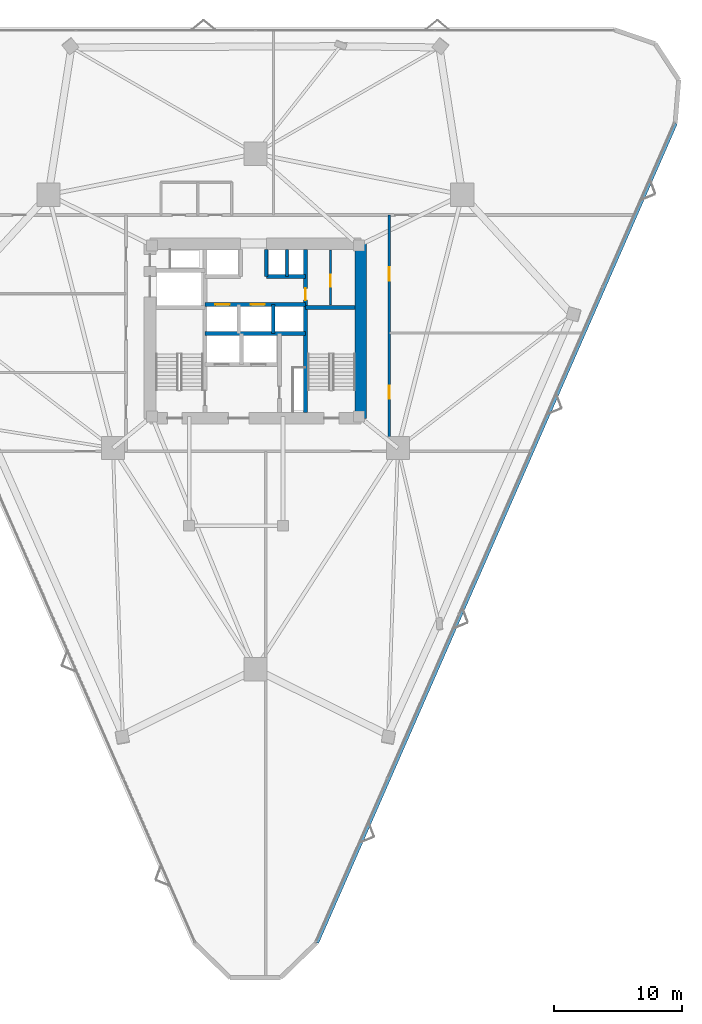
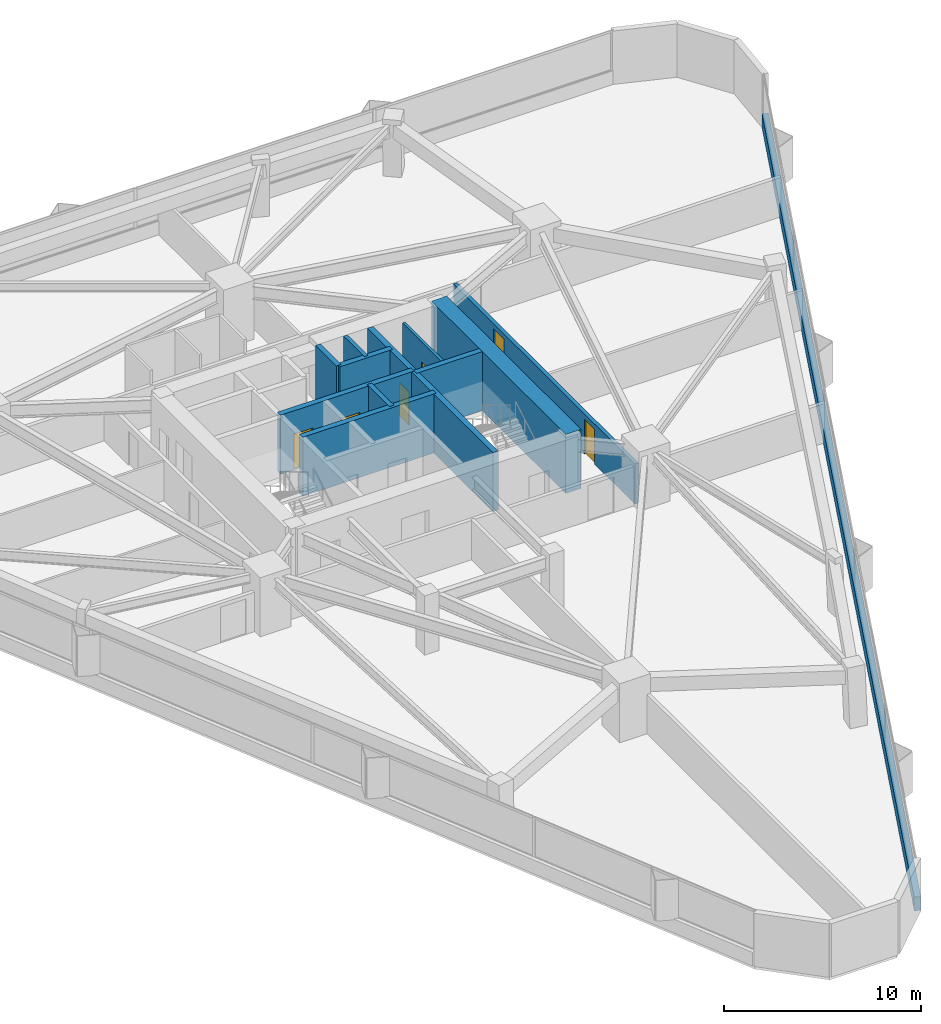
# One storey, part 18 of 20: 12 walls, 6 doors, 6 openings.
"""IFC4 building model written with IfcOpenShell, lengths in metres."""

import ifcopenshell
import ifcopenshell.guid

model = None  # the IFC model being written
_history = None  # IfcOwnerHistory: only IFC2X3 demands one
_inside = {}  # id of a spatial element -> (the spatial element, [elements in it])
_under = {}  # id of a project, library or spatial element -> (it, [spatial elements below it])
_declared = {}  # id of a project -> (the project, [libraries it declares])
_typed = {}  # id of a type object -> (the type object, [elements of that type])
_made_of = {}  # id of a material, layer set ... -> (it, [elements and type objects made of it])


def new_model(schema):
    """Start an empty IFC model of exactly this schema.

    Asked for "IFC4X3", IfcOpenShell would pick the latest addendum, in which some entities
    have other attributes; the version numbers below select the first issue.
    IFC2X3 requires an IfcOwnerHistory on every rooted entity: one is made here for all.
    """
    global model, _history
    if schema == "IFC4X3":
        model = ifcopenshell.file(schema_version=(4, 3, 0, 0))
    else:
        model = ifcopenshell.file(schema=schema)
    _inside.clear()
    _under.clear()
    _declared.clear()
    _typed.clear()
    _made_of.clear()
    _history = None
    if model.schema == "IFC2X3":
        org = make("IfcOrganization", Name="unknown")
        user = make(
            "IfcPersonAndOrganization",
            ThePerson=make("IfcPerson", FamilyName="unknown"),
            TheOrganization=org,
        )
        app = make(
            "IfcApplication",
            ApplicationDeveloper=org,
            Version="unknown",
            ApplicationFullName="unknown",
            ApplicationIdentifier="unknown",
        )
        _history = make(
            "IfcOwnerHistory",
            OwningUser=user,
            OwningApplication=app,
            ChangeAction="ADDED",
            CreationDate=0,
        )
    return model


def make(cls, **values):
    """One entity of the class cls with the attributes given. An attribute that is None is left unset."""
    return model.create_entity(
        cls, **{name: value for name, value in values.items() if value is not None}
    )


def rooted(cls, **values):
    """An entity with a GlobalId (a new one), such as an element, a storey or a relation."""
    return make(cls, GlobalId=ifcopenshell.guid.new(), OwnerHistory=_history, **values)


def si_unit(unit_type, name, prefix=None):
    """IfcSIUnit, for example si_unit("LENGTHUNIT", "METRE", prefix="MILLI")."""
    return make("IfcSIUnit", UnitType=unit_type, Prefix=prefix, Name=name)


def assignment(units):
    """IfcUnitAssignment: the units of a project."""
    return None if units is None else make("IfcUnitAssignment", Units=units)


def point(xyz):
    """IfcCartesianPoint."""
    return None if xyz is None else make("IfcCartesianPoint", Coordinates=xyz)


def direction(xyz):
    """IfcDirection."""
    return None if xyz is None else make("IfcDirection", DirectionRatios=xyz)


def frame(location, z_axis=None, x_axis=None):
    """IfcAxis2Placement3D, a coordinate frame: its origin and axes. An axis left out is left unset."""
    return make(
        "IfcAxis2Placement3D",
        Location=point(location),
        Axis=direction(z_axis),
        RefDirection=direction(x_axis),
    )


def frame_2d(location, x_axis=None):
    """IfcAxis2Placement2D, a coordinate frame in the plane: its origin and x axis."""
    return make(
        "IfcAxis2Placement2D", Location=point(location), RefDirection=direction(x_axis)
    )


def origin():
    """The frame at (0, 0, 0) with its axes left unset."""
    return frame((0.0, 0.0, 0.0))


def place(relative_to, where):
    """IfcLocalPlacement: puts the frame where relative to a parent placement (None: the world)."""
    return make(
        "IfcLocalPlacement", PlacementRelTo=relative_to, RelativePlacement=where
    )


def context(
    kind, dimensions, precision=None, world=None, true_north=None, identifier=None
):
    """IfcGeometricRepresentationContext, for example the 3D "Model" context."""
    return make(
        "IfcGeometricRepresentationContext",
        ContextIdentifier=identifier,
        ContextType=kind,
        CoordinateSpaceDimension=dimensions,
        Precision=precision,
        WorldCoordinateSystem=world,
        TrueNorth=true_north,
    )


def subcontext(parent, identifier, kind, view, scale=None):
    """IfcGeometricRepresentationSubContext, for example "Body" below "Model"."""
    return make(
        "IfcGeometricRepresentationSubContext",
        ContextIdentifier=identifier,
        ContextType=kind,
        ParentContext=parent,
        TargetScale=scale,
        TargetView=view,
    )


def project(units=None, contexts=None):
    """IfcProject with its units and contexts."""
    return rooted(
        "IfcProject",
        Name="project",
        RepresentationContexts=contexts,
        UnitsInContext=assignment(units),
    )


def spatial(cls, under=None, at=None, **own):
    """A site, building, storey or space (cls), placed at a placement, below another one or the project."""
    s = rooted(cls, ObjectPlacement=at, **own)
    if under is not None:
        _under.setdefault(under.id(), (under, []))[1].append(s)
    return s


def profile(cls, at=None, kind="AREA", **sizes):
    """A parametric profile (cls). Its sizes go by their IFC names, for example OverallWidth=200.0."""
    return make(cls, ProfileType=kind, Position=at, **sizes)


def rectangle(**sizes):
    """IfcRectangleProfileDef."""
    return profile("IfcRectangleProfileDef", **sizes)


def extrude(swept, where, along, depth):
    """IfcExtrudedAreaSolid: the profile swept, set in the frame where, extruded along a direction by depth."""
    return make(
        "IfcExtrudedAreaSolid",
        SweptArea=swept,
        Position=where,
        ExtrudedDirection=direction(along),
        Depth=depth,
    )


def shape(context_of_items, identifier, shape_type, items):
    """IfcShapeRepresentation: the items that make up one representation, for example the "Body"."""
    return make(
        "IfcShapeRepresentation",
        ContextOfItems=context_of_items,
        RepresentationIdentifier=identifier,
        RepresentationType=shape_type,
        Items=items,
    )


def material(Name=None, Category=None):
    """IfcMaterial."""
    return make("IfcMaterial", Name=Name, Category=Category)


def layer(
    of_material, thickness, ventilated=None, Name=None, Category=None, Priority=None
):
    """IfcMaterialLayer: one layer of a wall or slab, of a material (None: an air gap)."""
    return make(
        "IfcMaterialLayer",
        Material=of_material,
        LayerThickness=thickness,
        IsVentilated=ventilated,
        Name=Name,
        Category=Category,
        Priority=Priority,
    )


def layer_set(layers, Name=None):
    """IfcMaterialLayerSet."""
    return make("IfcMaterialLayerSet", MaterialLayers=layers, LayerSetName=Name)


def made_of(thing, what):
    """Note that an element or type object is made of a material, layer set ...; save() writes the relation."""
    if what is not None:
        _made_of.setdefault(what.id(), (what, []))[1].append(thing)
    return thing


def type_object(cls, material=None, **own):
    """A type object (cls), such as IfcWallType, which elements share."""
    return made_of(rooted(cls, **own), material)


def element(
    cls,
    number,
    at=None,
    inside=None,
    cuts=None,
    type_object=None,
    material=None,
    context=None,
    identifier="Body",
    shape_type=None,
    held_by="IfcProductDefinitionShape",
    body=None,
    shapes=None,
    **own,
):
    """One element of the class cls, such as IfcWall. Its Tag is "e" and its number.

    at: its placement. inside: the storey or other place that contains it. cuts: it is an
    opening in that element (IfcRelVoidsElement). A single representation is given by context,
    identifier, shape_type and body (its items); several are given by shapes. held_by: the class
    of the entity that holds the representations. save() writes the other relations.
    """
    e = rooted(cls, Tag="e%d" % number, ObjectPlacement=at, **own)
    if body is not None:
        shapes = [shape(context, identifier, shape_type, body)]
    if shapes is not None:
        e.Representation = make(held_by, Representations=shapes)
    if inside is not None:
        _inside.setdefault(inside.id(), (inside, []))[1].append(e)
    if cuts is not None:
        rooted(
            "IfcRelVoidsElement", RelatingBuildingElement=cuts, RelatedOpeningElement=e
        )
    if type_object is not None:
        _typed.setdefault(type_object.id(), (type_object, []))[1].append(e)
    return made_of(e, material)


def fill(opening, filler):
    """IfcRelFillsElement: the door or window that sits in an opening."""
    return rooted(
        "IfcRelFillsElement",
        RelatingOpeningElement=opening,
        RelatedBuildingElement=filler,
    )


def aggregate(whole, parts):
    """IfcRelAggregates: a whole, such as a stair, and the parts it consists of."""
    return rooted("IfcRelAggregates", RelatingObject=whole, RelatedObjects=parts)


def save(model, path):
    """Write the relations noted so far, then the file.

    IfcRelAggregates (storeys below a building ...), IfcRelContainedInSpatialStructure (elements
    in a storey), IfcRelDefinesByType, IfcRelAssociatesMaterial and IfcRelDeclares: one each for
    every whole, place, type object, material and project.
    """
    for whole, parts in _under.values():
        aggregate(whole, parts)
    for where, things in _inside.values():
        rooted(
            "IfcRelContainedInSpatialStructure",
            RelatedElements=things,
            RelatingStructure=where,
        )
    for kind, things in _typed.values():
        rooted("IfcRelDefinesByType", RelatedObjects=things, RelatingType=kind)
    for what, things in _made_of.values():
        rooted("IfcRelAssociatesMaterial", RelatedObjects=things, RelatingMaterial=what)
    for by, libraries in _declared.values():
        rooted("IfcRelDeclares", RelatingContext=by, RelatedDefinitions=libraries)
    model.write(path)


model = new_model("IFC4")

# Units and contexts
model_context = context("Model", 3, precision=1e-05, world=origin(), true_north=direction((0.0, 1.0)))
body_context = subcontext(model_context, "Body", "Model", "MODEL_VIEW")
ifc_project = project(units=[si_unit("LENGTHUNIT", "METRE"), si_unit("AREAUNIT", "SQUARE_METRE"), si_unit("VOLUMEUNIT", "CUBIC_METRE"), si_unit("PLANEANGLEUNIT", "RADIAN"), si_unit("MASSUNIT", "GRAM", prefix="KILO")], contexts=[model_context])

# Site, building, storey
site_placement = place(None, origin())
site = spatial("IfcSite", under=ifc_project, at=site_placement, CompositionType="ELEMENT")
building_placement = place(site_placement, origin())
building = spatial("IfcBuilding", under=site, at=building_placement, Name="Talyreon Biosciences Tower", CompositionType="ELEMENT")
storey_placement = place(building_placement, frame((0.0, 0.0, 62.949951171875)))
storey = spatial("IfcBuildingStorey", under=building, at=storey_placement, Name="L16", CompositionType="ELEMENT", Elevation=62.949951171875)

# Walls
ifc_material_1 = material(Name="Concrete C50/60", Category="concrete")
ifc_layer_1 = layer(ifc_material_1, 0.219970703125)
ifc_layer_set_1 = layer_set([ifc_layer_1], Name="Concrete C50/60")
wall_type_1 = type_object("IfcWallType", Name="CoreShearWall_220", PredefinedType="SHEAR", material=ifc_layer_set_1)
wall_1_placement = place(storey_placement, frame((68.4599609375, 72.25, 0.0), z_axis=(0.0, 0.0, 1.0), x_axis=(0.0, 1.0, 0.0)))
element("IfcWall", 1, at=wall_1_placement, inside=storey, type_object=wall_type_1, Name="L16 Core Shaft Wall SWPHD", PredefinedType="SHEAR", context=body_context, shape_type="SweptSolid", body=[
    extrude(rectangle(XDim=2.10009765625, YDim=0.219970703125, at=frame_2d((1.050048828125, 0.0))), origin(), (0.0, 0.0, 1.0), 3.650146484375),
])
ifc_layer_2 = layer(ifc_material_1, 0.280029296875)
ifc_layer_set_2 = layer_set([ifc_layer_2], Name="Concrete C50/60")
wall_type_2 = type_object("IfcWallType", Name="CoreShearWall_280", PredefinedType="SHEAR", material=ifc_layer_set_2)
wall_2_placement = place(storey_placement, frame((66.85009765625, 72.25, 0.0), z_axis=(0.0, 0.0, 1.0), x_axis=(0.0, 1.0, 0.0)))
element("IfcWall", 2, at=wall_2_placement, inside=storey, type_object=wall_type_2, Name="L16 Core Shaft Wall SWTHE", PredefinedType="SHEAR", context=body_context, shape_type="SweptSolid", body=[
    extrude(rectangle(XDim=2.10009765625, YDim=0.280029296875, at=frame_2d((1.050048828125, 0.0))), origin(), (0.0, 0.0, 1.0), 3.650146484375),
])
wall_3_placement = place(storey_placement, frame((67.3798828125, 67.800048828125, 0.0), z_axis=(0.0, 0.0, 1.0), x_axis=(0.0, 1.0, 0.0)))
element("IfcWall", 3, at=wall_3_placement, inside=storey, type_object=wall_type_2, Name="L16 Core Shaft Wall SWPMD", PredefinedType="SHEAR", context=body_context, shape_type="SweptSolid", body=[
    extrude(rectangle(XDim=2.25, YDim=0.280029296875, at=frame_2d((1.125, 0.0))), origin(), (0.0, 0.0, 1.0), 3.650146484375),
])

# Wall, opening, door
ifc_layer_3 = layer(ifc_material_1, 0.320068359375)
ifc_layer_set_3 = layer_set([ifc_layer_3], Name="Concrete C50/60")
wall_type_3 = type_object("IfcWallType", Name="CoreShearWall_320", PredefinedType="SHEAR", material=ifc_layer_set_3)
wall_4_placement = place(storey_placement, frame((69.909912109375, 61.64990234375, 0.0), z_axis=(0.0, 0.0, 1.0), x_axis=(0.0, 1.0, 0.0)))
wall_4 = element("IfcWall", 4, at=wall_4_placement, inside=storey, type_object=wall_type_3, Name="L16 Core Shaft Wall SW2W", PredefinedType="SHEAR", context=body_context, shape_type="SweptSolid", body=[
    extrude(rectangle(XDim=12.7001953125, YDim=0.320068359375, at=frame_2d((6.35009765625, 0.0))), origin(), (0.0, 0.0, 1.0), 3.650146484375),
])
opening_1_placement = place(wall_4_placement, frame((8.75, 0.0, 0.0)))
opening_1 = element("IfcOpeningElement", 5, at=opening_1_placement, cuts=wall_4, Name="Opening DR-L16-CSRV", PredefinedType="OPENING", context=body_context, shape_type="SweptSolid", body=[
    extrude(rectangle(XDim=0.919921875, YDim=2.050048828125, at=frame_2d((0.4599609375, 1.02490234375))), frame((0.0, 0.169921875, 0.0), z_axis=(0.0, -1.0, 0.0), x_axis=(1.0, 0.0, 0.0)), (0.0, 0.0, 1.0), 0.340087890625),
])
ifc_material_2 = material(Name="Painted steel fire-rated riser door", Category="steel")
door_type_1 = type_object("IfcDoorType", Name="RiserPlantAccessDoor_920x2050", OperationType="NOTDEFINED", PredefinedType="DOOR", material=ifc_material_2)
door_1_placement = place(opening_1_placement, origin())
door_1 = element("IfcDoor", 6, at=door_1_placement, inside=storey, type_object=door_type_1, Name="L16 Core Door DR-L16-CSRV", OperationType="SINGLE_SWING_RIGHT", OverallHeight=2.050048828125, OverallWidth=0.919921875, PredefinedType="DOOR", context=body_context, shape_type="SweptSolid", body=[
    extrude(rectangle(XDim=0.919921875, YDim=2.050048828125, at=frame_2d((0.4599609375, 1.02490234375))), frame((0.0, 0.02490234375, 0.0), z_axis=(0.0, -1.0, 0.0), x_axis=(1.0, 0.0, 0.0)), (0.0, 0.0, 1.0), 0.050048828125),
])
fill(opening_1, door_1)

# Walls
wall_5_placement = place(storey_placement, frame((69.909912109375, 69.81005859375, 0.0), z_axis=(0.0, 0.0, 1.0), x_axis=(1.0, 0.0, 0.0)))
element("IfcWall", 7, at=wall_5_placement, inside=storey, type_object=wall_type_3, Name="L16 Core Shaft Wall SW2N", PredefinedType="SHEAR", context=body_context, shape_type="SweptSolid", body=[
    extrude(rectangle(XDim=3.840087890625, YDim=0.320068359375, at=frame_2d((1.919921875, 0.0))), origin(), (0.0, 0.0, 1.0), 3.650146484375),
])
wall_6_placement = place(storey_placement, frame((62.090087890625, 67.800048828125, 0.0), z_axis=(0.0, 0.0, 1.0), x_axis=(1.0, 0.0, 0.0)))
element("IfcWall", 8, at=wall_6_placement, inside=storey, type_object=wall_type_3, Name="L16 Core Shaft Wall SWSHM", PredefinedType="SHEAR", context=body_context, shape_type="SweptSolid", body=[
    extrude(rectangle(XDim=7.81982421875, YDim=0.320068359375, at=frame_2d((3.909912109375, 0.0))), origin(), (0.0, 0.0, 1.0), 3.650146484375),
])

# Wall, openings, doors
wall_7_placement = place(storey_placement, frame((62.090087890625, 70.050048828125, 0.0), z_axis=(0.0, 0.0, 1.0), x_axis=(1.0, 0.0, 0.0)))
wall_7 = element("IfcWall", 9, at=wall_7_placement, inside=storey, type_object=wall_type_3, Name="L16 Core Shaft Wall SWSPN", PredefinedType="SHEAR", context=body_context, shape_type="SweptSolid", body=[
    extrude(rectangle(XDim=7.81982421875, YDim=0.320068359375, at=frame_2d((3.909912109375, 0.0))), origin(), (0.0, 0.0, 1.0), 3.650146484375),
])
opening_2_placement = place(wall_7_placement, frame((0.800048828125, 0.0, 0.0)))
opening_2 = element("IfcOpeningElement", 10, at=opening_2_placement, cuts=wall_7, Name="Opening LD-L16-PL1", PredefinedType="OPENING", context=body_context, shape_type="SweptSolid", body=[
    extrude(rectangle(XDim=1.10009765625, YDim=2.199951171875, at=frame_2d((0.550048828125, 1.10009765625))), frame((0.0, 0.169921875, 0.0), z_axis=(0.0, -1.0, 0.0), x_axis=(1.0, 0.0, 0.0)), (0.0, 0.0, 1.0), 0.340087890625),
])
opening_3_placement = place(wall_7_placement, frame((3.550048828125, 0.0, 0.0)))
opening_3 = element("IfcOpeningElement", 11, at=opening_3_placement, cuts=wall_7, Name="Opening LD-L16-PL2", PredefinedType="OPENING", context=body_context, shape_type="SweptSolid", body=[
    extrude(rectangle(XDim=1.10009765625, YDim=2.199951171875, at=frame_2d((0.550048828125, 1.10009765625))), frame((0.0, 0.169921875, 0.0), z_axis=(0.0, -1.0, 0.0), x_axis=(1.0, 0.0, 0.0)), (0.0, 0.0, 1.0), 0.340087890625),
])
ifc_material_3 = material(Name="Brushed stainless-steel lift landing door", Category="steel")
door_type_2 = type_object("IfcDoorType", Name="LiftSlidingLandingDoor_1100x2200", OperationType="SLIDING_TO_LEFT", PredefinedType="DOOR", material=ifc_material_3)
door_2_placement = place(opening_2_placement, origin())
door_2 = element("IfcDoor", 12, at=door_2_placement, inside=storey, type_object=door_type_2, Name="L16 Core Door LD-L16-PL1", OperationType="SLIDING_TO_LEFT", OverallHeight=2.199951171875, OverallWidth=1.10009765625, PredefinedType="DOOR", context=body_context, shape_type="SweptSolid", body=[
    extrude(rectangle(XDim=1.10009765625, YDim=2.199951171875, at=frame_2d((0.550048828125, 1.10009765625))), frame((0.0, 0.02490234375, 0.0), z_axis=(0.0, -1.0, 0.0), x_axis=(1.0, 0.0, 0.0)), (0.0, 0.0, 1.0), 0.050048828125),
])
fill(opening_2, door_2)
door_3_placement = place(opening_3_placement, origin())
door_3 = element("IfcDoor", 13, at=door_3_placement, inside=storey, type_object=door_type_2, Name="L16 Core Door LD-L16-PL2", OperationType="SLIDING_TO_LEFT", OverallHeight=2.199951171875, OverallWidth=1.10009765625, PredefinedType="DOOR", context=body_context, shape_type="SweptSolid", body=[
    extrude(rectangle(XDim=1.10009765625, YDim=2.199951171875, at=frame_2d((0.550048828125, 1.10009765625))), frame((0.0, 0.02490234375, 0.0), z_axis=(0.0, -1.0, 0.0), x_axis=(1.0, 0.0, 0.0)), (0.0, 0.0, 1.0), 0.050048828125),
])
fill(opening_3, door_3)

# Walls
wall_8_placement = place(storey_placement, frame((66.85009765625, 72.25, 0.0), z_axis=(0.0, 0.0, 1.0), x_axis=(1.0, 0.0, 0.0)))
element("IfcWall", 14, at=wall_8_placement, inside=storey, type_object=wall_type_3, Name="L16 Core Shaft Wall SWNPE", PredefinedType="SHEAR", context=body_context, shape_type="SweptSolid", body=[
    extrude(rectangle(XDim=3.059814453125, YDim=0.320068359375, at=frame_2d((1.52978515625, 0.0))), origin(), (0.0, 0.0, 1.0), 3.650146484375),
])
ifc_material_4 = material(Name="Concrete C60/75", Category="concrete")
ifc_layer_4 = layer(ifc_material_4, 0.89990234375)
ifc_layer_set_4 = layer_set([ifc_layer_4], Name="Concrete C60/75")
wall_type_4 = type_object("IfcWallType", Name="CoreShearWall_900", PredefinedType="SHEAR", material=ifc_layer_set_4)
wall_9_placement = place(storey_placement, frame((74.199951171875, 61.199951171875, 0.0), z_axis=(0.0, 0.0, 1.0), x_axis=(0.0, 1.0, 0.0)))
element("IfcWall", 15, at=wall_9_placement, inside=storey, type_object=wall_type_4, Name="L16 Core Shear Wall E", PredefinedType="SHEAR", context=body_context, shape_type="SweptSolid", body=[
    extrude(rectangle(XDim=13.60009765625, YDim=0.89990234375, at=frame_2d((6.800048828125, 0.0))), origin(), (0.0, 0.0, 1.0), 3.650146484375),
])

# Wall, openings, doors
ifc_material_5 = material(Name="Gypsum fireboard acoustic stud", Category="gypsum")
ifc_layer_5 = layer(ifc_material_5, 0.219970703125)
ifc_layer_set_5 = layer_set([ifc_layer_5], Name="Gypsum fireboard acoustic stud")
wall_type_5 = type_object("IfcWallType", Name="CorridorRatedPartition_220", PredefinedType="PARTITIONING", material=ifc_layer_set_5)
wall_10_placement = place(storey_placement, frame((76.419921875, 58.6298828125, 0.0), z_axis=(0.0, 0.0, 1.0), x_axis=(0.0, 1.0, 0.0)))
wall_10 = element("IfcWall", 16, at=wall_10_placement, inside=storey, type_object=wall_type_5, Name="L16 Interior Wall IW-L16-COR-E", PredefinedType="PARTITIONING", context=body_context, shape_type="SweptSolid", body=[
    extrude(rectangle(XDim=18.39013671875, YDim=0.219970703125, at=frame_2d((9.195068359375, 0.0))), origin(), (0.0, 0.0, 1.0), 2.47998046875),
])
opening_4_placement = place(wall_10_placement, frame((4.072998046875, 0.0, 0.0)))
opening_4 = element("IfcOpeningElement", 17, at=opening_4_placement, cuts=wall_10, Name="Opening DR-L16-E1A", PredefinedType="OPENING", context=body_context, shape_type="SweptSolid", body=[
    extrude(rectangle(XDim=1.050048828125, YDim=2.14990234375, at=frame_2d((0.52490234375, 1.074951171875))), frame((0.0, 0.119873046875, 0.0), z_axis=(0.0, -1.0, 0.0), x_axis=(1.0, 0.0, 0.0)), (0.0, 0.0, 1.0), 0.239990234375),
])
opening_5_placement = place(wall_10_placement, frame((13.26708984375, 0.0, 0.0)))
opening_5 = element("IfcOpeningElement", 18, at=opening_5_placement, cuts=wall_10, Name="Opening DR-L16-E2A", PredefinedType="OPENING", context=body_context, shape_type="SweptSolid", body=[
    extrude(rectangle(XDim=1.050048828125, YDim=2.14990234375, at=frame_2d((0.52490234375, 1.074951171875))), frame((0.0, 0.119873046875, 0.0), z_axis=(0.0, -1.0, 0.0), x_axis=(1.0, 0.0, 0.0)), (0.0, 0.0, 1.0), 0.239990234375),
])
ifc_material_6 = material(Name="Acoustic timber-core laboratory door", Category="wood")
door_type_3 = type_object("IfcDoorType", Name="DryLabSingleDoor_1050x2150", OperationType="NOTDEFINED", PredefinedType="DOOR", material=ifc_material_6)
door_4_placement = place(opening_4_placement, origin())
door_4 = element("IfcDoor", 19, at=door_4_placement, inside=storey, type_object=door_type_3, Name="L16 Interior Door DR-L16-E1A", OperationType="SINGLE_SWING_LEFT", OverallHeight=2.14990234375, OverallWidth=1.050048828125, PredefinedType="DOOR", context=body_context, shape_type="SweptSolid", body=[
    extrude(rectangle(XDim=1.050048828125, YDim=2.14990234375, at=frame_2d((0.52490234375, 1.074951171875))), frame((0.0, 0.02490234375, 0.0), z_axis=(0.0, -1.0, 0.0), x_axis=(1.0, 0.0, 0.0)), (0.0, 0.0, 1.0), 0.050048828125),
])
fill(opening_4, door_4)
door_5_placement = place(opening_5_placement, origin())
door_5 = element("IfcDoor", 20, at=door_5_placement, inside=storey, type_object=door_type_3, Name="L16 Interior Door DR-L16-E2A", OperationType="SINGLE_SWING_LEFT", OverallHeight=2.14990234375, OverallWidth=1.050048828125, PredefinedType="DOOR", context=body_context, shape_type="SweptSolid", body=[
    extrude(rectangle(XDim=1.050048828125, YDim=2.14990234375, at=frame_2d((0.52490234375, 1.074951171875))), frame((0.0, 0.02490234375, 0.0), z_axis=(0.0, -1.0, 0.0), x_axis=(1.0, 0.0, 0.0)), (0.0, 0.0, 1.0), 0.050048828125),
])
fill(opening_5, door_5)

# Wall, opening, door
ifc_material_7 = material(Name="Gypsum acoustic stud partition", Category="gypsum")
ifc_layer_6 = layer(ifc_material_7, 0.159912109375)
ifc_layer_set_6 = layer_set([ifc_layer_6], Name="Gypsum acoustic stud partition")
wall_type_6 = type_object("IfcWallType", Name="LabSeparationPartition_160", PredefinedType="PARTITIONING", material=ifc_layer_set_6)
wall_11_placement = place(storey_placement, frame((71.85009765625, 70.0, 0.0), z_axis=(0.0, 0.0, 1.0), x_axis=(0.0, 1.0, 0.0)))
wall_11 = element("IfcWall", 21, at=wall_11_placement, inside=storey, type_object=wall_type_6, Name="L16 Interior Wall IW-L16-CSRV-V", PredefinedType="PARTITIONING", context=body_context, shape_type="SweptSolid", body=[
    extrude(rectangle(XDim=4.300048828125, YDim=0.159912109375, at=frame_2d((2.14990234375, 0.0))), origin(), (0.0, 0.0, 1.0), 3.300048828125),
])
opening_6_placement = place(wall_11_placement, frame((1.449951171875, 0.0, 0.0)))
opening_6 = element("IfcOpeningElement", 22, at=opening_6_placement, cuts=wall_11, Name="Opening DR-L16-CSRV-I", PredefinedType="OPENING", context=body_context, shape_type="SweptSolid", body=[
    extrude(rectangle(XDim=0.919921875, YDim=2.050048828125, at=frame_2d((0.4599609375, 1.02490234375))), frame((0.0, 0.08984375, 0.0), z_axis=(0.0, -1.0, 0.0), x_axis=(1.0, 0.0, 0.0)), (0.0, 0.0, 1.0), 0.179931640625),
])
door_6_placement = place(opening_6_placement, origin())
door_6 = element("IfcDoor", 23, at=door_6_placement, inside=storey, type_object=door_type_1, Name="L16 Interior Door DR-L16-CSRV-I", OperationType="SINGLE_SWING_RIGHT", OverallHeight=2.050048828125, OverallWidth=0.919921875, PredefinedType="DOOR", context=body_context, shape_type="SweptSolid", body=[
    extrude(rectangle(XDim=0.919921875, YDim=2.050048828125, at=frame_2d((0.4599609375, 1.02490234375))), frame((0.0, 0.02490234375, 0.0), z_axis=(0.0, -1.0, 0.0), x_axis=(1.0, 0.0, 0.0)), (0.0, 0.0, 1.0), 0.050048828125),
])
fill(opening_6, door_6)

# Wall
ifc_material_8 = material(Name="Precast concrete C45/55", Category="concrete")
ifc_layer_7 = layer(ifc_material_8, 0.340087890625)
ifc_layer_set_7 = layer_set([ifc_layer_7], Name="Precast concrete C45/55")
wall_type_7 = type_object("IfcWallType", Name="PrecastConcreteSpandrelWall_340", PredefinedType="STANDARD", material=ifc_layer_set_7)
wall_12_placement = place(storey_placement, frame((98.67919921875, 84.168701171875, 0.0), z_axis=(0.0, 0.0, 1.0), x_axis=(-0.400969676651, -0.916091326455, 0.0)))
element("IfcWall", 24, at=wall_12_placement, inside=storey, type_object=wall_type_7, Name="L16 Expressed Concrete Sill Wall 08", PredefinedType="STANDARD", context=body_context, shape_type="SweptSolid", body=[
    extrude(rectangle(XDim=69.6201171875, YDim=0.340087890625, at=frame_2d((34.81005859375, 0.0))), origin(), (0.0, 0.0, 1.0), 0.85009765625),
])

save(model, "model.ifc")
